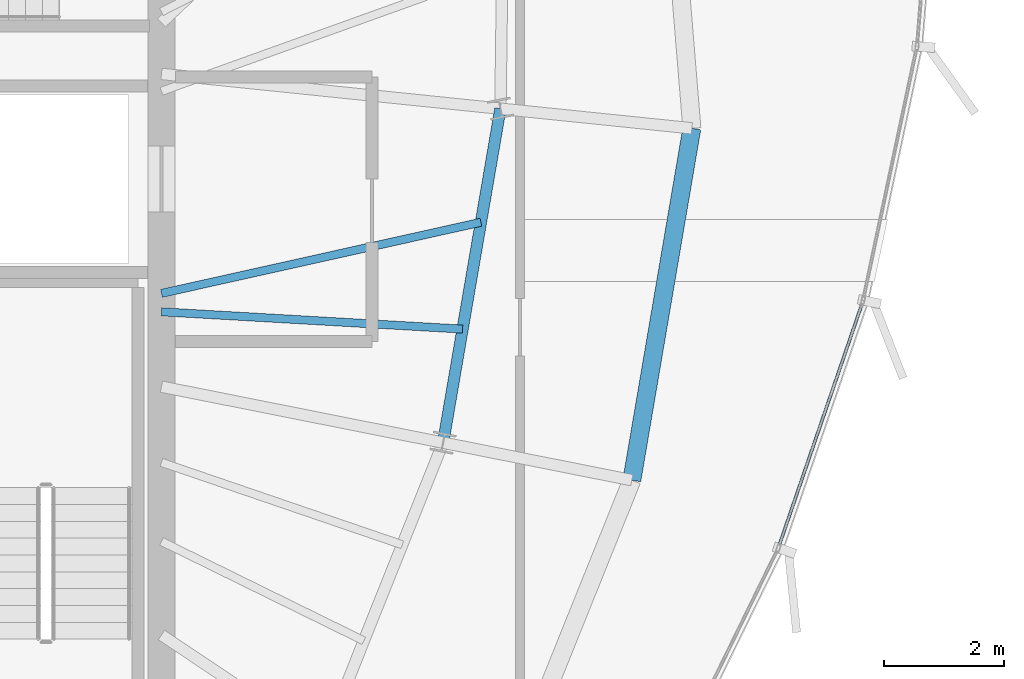
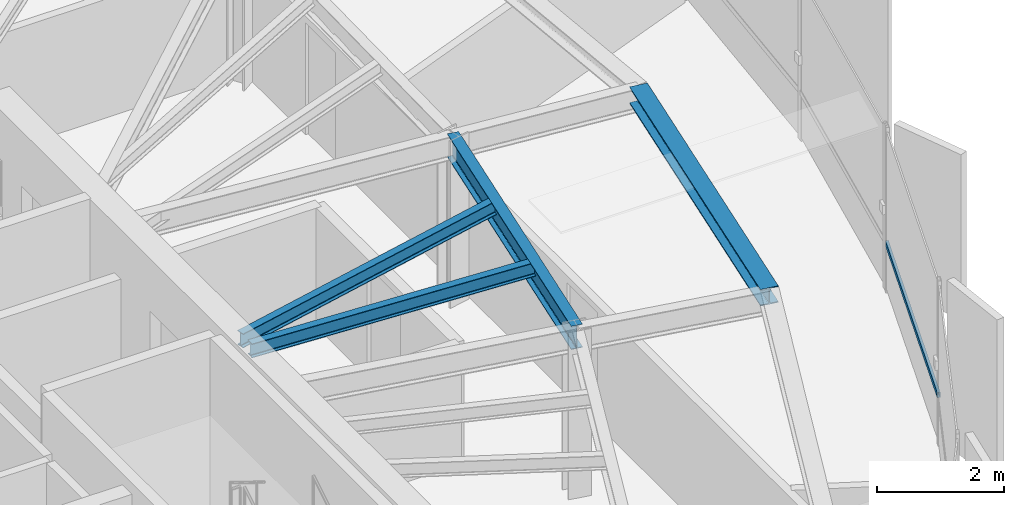
# One storey, part 15 of 35: 4 beams, 1 member, 1 element without a shape of its own.
"""IFC4 building model written with IfcOpenShell, lengths in metres."""

import ifcopenshell
import ifcopenshell.guid

model = None  # the IFC model being written
_history = None  # IfcOwnerHistory: only IFC2X3 demands one
_inside = {}  # id of a spatial element -> (the spatial element, [elements in it])
_under = {}  # id of a project, library or spatial element -> (it, [spatial elements below it])
_declared = {}  # id of a project -> (the project, [libraries it declares])
_typed = {}  # id of a type object -> (the type object, [elements of that type])
_made_of = {}  # id of a material, layer set ... -> (it, [elements and type objects made of it])


def new_model(schema):
    """Start an empty IFC model of exactly this schema.

    Asked for "IFC4X3", IfcOpenShell would pick the latest addendum, in which some entities
    have other attributes; the version numbers below select the first issue.
    IFC2X3 requires an IfcOwnerHistory on every rooted entity: one is made here for all.
    """
    global model, _history
    if schema == "IFC4X3":
        model = ifcopenshell.file(schema_version=(4, 3, 0, 0))
    else:
        model = ifcopenshell.file(schema=schema)
    _inside.clear()
    _under.clear()
    _declared.clear()
    _typed.clear()
    _made_of.clear()
    _history = None
    if model.schema == "IFC2X3":
        org = make("IfcOrganization", Name="unknown")
        user = make(
            "IfcPersonAndOrganization",
            ThePerson=make("IfcPerson", FamilyName="unknown"),
            TheOrganization=org,
        )
        app = make(
            "IfcApplication",
            ApplicationDeveloper=org,
            Version="unknown",
            ApplicationFullName="unknown",
            ApplicationIdentifier="unknown",
        )
        _history = make(
            "IfcOwnerHistory",
            OwningUser=user,
            OwningApplication=app,
            ChangeAction="ADDED",
            CreationDate=0,
        )
    return model


def make(cls, **values):
    """One entity of the class cls with the attributes given. An attribute that is None is left unset."""
    return model.create_entity(
        cls, **{name: value for name, value in values.items() if value is not None}
    )


def rooted(cls, **values):
    """An entity with a GlobalId (a new one), such as an element, a storey or a relation."""
    return make(cls, GlobalId=ifcopenshell.guid.new(), OwnerHistory=_history, **values)


def si_unit(unit_type, name, prefix=None):
    """IfcSIUnit, for example si_unit("LENGTHUNIT", "METRE", prefix="MILLI")."""
    return make("IfcSIUnit", UnitType=unit_type, Prefix=prefix, Name=name)


def assignment(units):
    """IfcUnitAssignment: the units of a project."""
    return None if units is None else make("IfcUnitAssignment", Units=units)


def point(xyz):
    """IfcCartesianPoint."""
    return None if xyz is None else make("IfcCartesianPoint", Coordinates=xyz)


def direction(xyz):
    """IfcDirection."""
    return None if xyz is None else make("IfcDirection", DirectionRatios=xyz)


def frame(location, z_axis=None, x_axis=None):
    """IfcAxis2Placement3D, a coordinate frame: its origin and axes. An axis left out is left unset."""
    return make(
        "IfcAxis2Placement3D",
        Location=point(location),
        Axis=direction(z_axis),
        RefDirection=direction(x_axis),
    )


def frame_2d(location, x_axis=None):
    """IfcAxis2Placement2D, a coordinate frame in the plane: its origin and x axis."""
    return make(
        "IfcAxis2Placement2D", Location=point(location), RefDirection=direction(x_axis)
    )


def origin():
    """The frame at (0, 0, 0) with its axes left unset."""
    return frame((0.0, 0.0, 0.0))


def origin_2d():
    """The frame at (0, 0) in the plane with its x axis left unset."""
    return frame_2d((0.0, 0.0))


def place(relative_to, where):
    """IfcLocalPlacement: puts the frame where relative to a parent placement (None: the world)."""
    return make(
        "IfcLocalPlacement", PlacementRelTo=relative_to, RelativePlacement=where
    )


def context(
    kind, dimensions, precision=None, world=None, true_north=None, identifier=None
):
    """IfcGeometricRepresentationContext, for example the 3D "Model" context."""
    return make(
        "IfcGeometricRepresentationContext",
        ContextIdentifier=identifier,
        ContextType=kind,
        CoordinateSpaceDimension=dimensions,
        Precision=precision,
        WorldCoordinateSystem=world,
        TrueNorth=true_north,
    )


def subcontext(parent, identifier, kind, view, scale=None):
    """IfcGeometricRepresentationSubContext, for example "Body" below "Model"."""
    return make(
        "IfcGeometricRepresentationSubContext",
        ContextIdentifier=identifier,
        ContextType=kind,
        ParentContext=parent,
        TargetScale=scale,
        TargetView=view,
    )


def project(units=None, contexts=None):
    """IfcProject with its units and contexts."""
    return rooted(
        "IfcProject",
        Name="project",
        RepresentationContexts=contexts,
        UnitsInContext=assignment(units),
    )


def spatial(cls, under=None, at=None, **own):
    """A site, building, storey or space (cls), placed at a placement, below another one or the project."""
    s = rooted(cls, ObjectPlacement=at, **own)
    if under is not None:
        _under.setdefault(under.id(), (under, []))[1].append(s)
    return s


def profile(cls, at=None, kind="AREA", **sizes):
    """A parametric profile (cls). Its sizes go by their IFC names, for example OverallWidth=200.0."""
    return make(cls, ProfileType=kind, Position=at, **sizes)


def hollow_rectangle(**sizes):
    """IfcRectangleHollowProfileDef."""
    return profile("IfcRectangleHollowProfileDef", **sizes)


def i_section(**sizes):
    """IfcIShapeProfileDef."""
    return profile("IfcIShapeProfileDef", **sizes)


def extrude(swept, where, along, depth):
    """IfcExtrudedAreaSolid: the profile swept, set in the frame where, extruded along a direction by depth."""
    return make(
        "IfcExtrudedAreaSolid",
        SweptArea=swept,
        Position=where,
        ExtrudedDirection=direction(along),
        Depth=depth,
    )


def shape(context_of_items, identifier, shape_type, items):
    """IfcShapeRepresentation: the items that make up one representation, for example the "Body"."""
    return make(
        "IfcShapeRepresentation",
        ContextOfItems=context_of_items,
        RepresentationIdentifier=identifier,
        RepresentationType=shape_type,
        Items=items,
    )


def source(mapping_origin, context_of_items, identifier, shape_type, items):
    """IfcRepresentationMap: a shape defined once, which mapped items show again and again."""
    return make(
        "IfcRepresentationMap",
        MappingOrigin=mapping_origin,
        MappedRepresentation=shape(context_of_items, identifier, shape_type, items),
    )


def transform(
    local_origin,
    x_axis=None,
    y_axis=None,
    z_axis=None,
    scale=None,
    scale2=None,
    scale3=None,
    uniform=True,
):
    """IfcCartesianTransformationOperator3D, or its non-uniform kind. x_axis, y_axis, z_axis: its Axis1, 2, 3."""
    if uniform:
        return make(
            "IfcCartesianTransformationOperator3D",
            Axis1=direction(x_axis),
            Axis2=direction(y_axis),
            LocalOrigin=point(local_origin),
            Scale=scale,
            Axis3=direction(z_axis),
        )
    return make(
        "IfcCartesianTransformationOperator3DnonUniform",
        Axis1=direction(x_axis),
        Axis2=direction(y_axis),
        LocalOrigin=point(local_origin),
        Scale=scale,
        Axis3=direction(z_axis),
        Scale2=scale2,
        Scale3=scale3,
    )


def mapped(mapping_source, mapping_target):
    """IfcMappedItem: shows the shape of a source again, moved by a transform."""
    return make(
        "IfcMappedItem", MappingSource=mapping_source, MappingTarget=mapping_target
    )


def material(Name=None, Category=None):
    """IfcMaterial."""
    return make("IfcMaterial", Name=Name, Category=Category)


def layer(
    of_material, thickness, ventilated=None, Name=None, Category=None, Priority=None
):
    """IfcMaterialLayer: one layer of a wall or slab, of a material (None: an air gap)."""
    return make(
        "IfcMaterialLayer",
        Material=of_material,
        LayerThickness=thickness,
        IsVentilated=ventilated,
        Name=Name,
        Category=Category,
        Priority=Priority,
    )


def layer_set(layers, Name=None):
    """IfcMaterialLayerSet."""
    return make("IfcMaterialLayerSet", MaterialLayers=layers, LayerSetName=Name)


def material_profile(
    of_material, cross_section, Name=None, Category=None, Priority=None
):
    """IfcMaterialProfile: a cross section and its material."""
    return make(
        "IfcMaterialProfile",
        Name=Name,
        Material=of_material,
        Profile=cross_section,
        Priority=Priority,
        Category=Category,
    )


def profile_set(profiles, Name=None, composite=None):
    """IfcMaterialProfileSet."""
    return make(
        "IfcMaterialProfileSet",
        Name=Name,
        MaterialProfiles=profiles,
        CompositeProfile=composite,
    )


def made_of(thing, what):
    """Note that an element or type object is made of a material, layer set ...; save() writes the relation."""
    if what is not None:
        _made_of.setdefault(what.id(), (what, []))[1].append(thing)
    return thing


def type_object(cls, material=None, **own):
    """A type object (cls), such as IfcWallType, which elements share."""
    return made_of(rooted(cls, **own), material)


def element(
    cls,
    number,
    at=None,
    inside=None,
    cuts=None,
    type_object=None,
    material=None,
    context=None,
    identifier="Body",
    shape_type=None,
    held_by="IfcProductDefinitionShape",
    body=None,
    shapes=None,
    **own,
):
    """One element of the class cls, such as IfcWall. Its Tag is "e" and its number.

    at: its placement. inside: the storey or other place that contains it. cuts: it is an
    opening in that element (IfcRelVoidsElement). A single representation is given by context,
    identifier, shape_type and body (its items); several are given by shapes. held_by: the class
    of the entity that holds the representations. save() writes the other relations.
    """
    e = rooted(cls, Tag="e%d" % number, ObjectPlacement=at, **own)
    if body is not None:
        shapes = [shape(context, identifier, shape_type, body)]
    if shapes is not None:
        e.Representation = make(held_by, Representations=shapes)
    if inside is not None:
        _inside.setdefault(inside.id(), (inside, []))[1].append(e)
    if cuts is not None:
        rooted(
            "IfcRelVoidsElement", RelatingBuildingElement=cuts, RelatedOpeningElement=e
        )
    if type_object is not None:
        _typed.setdefault(type_object.id(), (type_object, []))[1].append(e)
    return made_of(e, material)


def aggregate(whole, parts):
    """IfcRelAggregates: a whole, such as a stair, and the parts it consists of."""
    return rooted("IfcRelAggregates", RelatingObject=whole, RelatedObjects=parts)


def save(model, path):
    """Write the relations noted so far, then the file.

    IfcRelAggregates (storeys below a building ...), IfcRelContainedInSpatialStructure (elements
    in a storey), IfcRelDefinesByType, IfcRelAssociatesMaterial and IfcRelDeclares: one each for
    every whole, place, type object, material and project.
    """
    for whole, parts in _under.values():
        aggregate(whole, parts)
    for where, things in _inside.values():
        rooted(
            "IfcRelContainedInSpatialStructure",
            RelatedElements=things,
            RelatingStructure=where,
        )
    for kind, things in _typed.values():
        rooted("IfcRelDefinesByType", RelatedObjects=things, RelatingType=kind)
    for what, things in _made_of.values():
        rooted("IfcRelAssociatesMaterial", RelatedObjects=things, RelatingMaterial=what)
    for by, libraries in _declared.values():
        rooted("IfcRelDeclares", RelatingContext=by, RelatedDefinitions=libraries)
    model.write(path)


model = new_model("IFC4")

# Units and contexts
model_context = context("Model", 3, precision=1e-05, world=origin(), true_north=direction((0.0, 1.0)))
body_context = subcontext(model_context, "Body", "Model", "MODEL_VIEW")
ifc_project = project(units=[si_unit("LENGTHUNIT", "METRE"), si_unit("AREAUNIT", "SQUARE_METRE"), si_unit("VOLUMEUNIT", "CUBIC_METRE"), si_unit("PLANEANGLEUNIT", "RADIAN"), si_unit("MASSUNIT", "GRAM", prefix="KILO"), si_unit("THERMODYNAMICTEMPERATUREUNIT", "KELVIN")], contexts=[model_context])

# Site, building, storey
site_placement = place(None, origin())
site = spatial("IfcSite", under=ifc_project, at=site_placement, CompositionType="ELEMENT")
building_placement = place(site_placement, origin())
building = spatial("IfcBuilding", under=site, at=building_placement, Name="Kethvar Cultural Tower", CompositionType="ELEMENT")
storey_placement = place(building_placement, frame((0.0, 0.0, 245.64990234375)))
storey = spatial("IfcBuildingStorey", under=building, at=storey_placement, Name="L64", CompositionType="ELEMENT", Elevation=245.64990234375)

# Beams
ifc_material_1 = material(Name="Steel S355J2", Category="steel")
ifc_material_profile_1 = material_profile(ifc_material_1, i_section(OverallWidth=0.18994140625, OverallDepth=0.449951171875, WebThickness=0.009521484375, FlangeThickness=0.0146484375, FilletRadius=0.02099609375, at=origin_2d()), Name="Steel S355J2 — IPE450")
ifc_profile_set_1 = profile_set([ifc_material_profile_1], Name="Steel S355J2 — IPE450")
beam_type_1 = type_object("IfcBeamType", Name="BM-IPE450", PredefinedType="BEAM", material=ifc_profile_set_1)
shared_shape_1 = source(origin(), body_context, "Body", "SweptSolid", [
    extrude(i_section(OverallWidth=0.18994140625, OverallDepth=0.449951171875, WebThickness=0.009521484375, FlangeThickness=0.0146484375, FilletRadius=0.02099609375, at=origin_2d()), origin(), (0.0, 0.0, 1.0), 5.635009765625),
])
beam_1_placement = place(storey_placement, frame((60.28369140625, 25.117919921875, 2.983154296875), z_axis=(0.169188687614, 0.985583678834, 0.0), x_axis=(-0.985583678834, 0.169188687614, 0.0)))
element("IfcBeam", 1, at=beam_1_placement, inside=storey, type_object=beam_type_1, Name="L64 Column Ring Tie Beam CR-16", PredefinedType="BEAM", context=body_context, shape_type="MappedRepresentation", body=[
    mapped(shared_shape_1, transform((0.0, 0.0, 0.0), scale=1.0)),
])
ifc_material_profile_2 = material_profile(ifc_material_1, i_section(OverallWidth=0.300048828125, OverallDepth=0.320068359375, WebThickness=0.011474609375, FlangeThickness=0.0205078125, FilletRadius=0.027099609375, at=origin_2d()), Name="Steel S355J2 — HEB320")
ifc_profile_set_2 = profile_set([ifc_material_profile_2], Name="Steel S355J2 — HEB320")
beam_type_2 = type_object("IfcBeamType", Name="BM-SP320", PredefinedType="SPANDREL", material=ifc_profile_set_2)
shared_shape_2 = source(origin(), body_context, "Body", "SweptSolid", [
    extrude(i_section(OverallWidth=0.300048828125, OverallDepth=0.320068359375, WebThickness=0.011474609375, FlangeThickness=0.0205078125, FilletRadius=0.027099609375, at=origin_2d()), origin(), (0.0, 0.0, 1.0), 5.93603515625),
])
beam_2_placement = place(storey_placement, frame((63.422119140625, 24.49365234375, 3.048095703125), z_axis=(0.16817267321, 0.985757552335, 0.0), x_axis=(-0.985757552335, 0.16817267321, 0.0)))
element("IfcBeam", 2, at=beam_2_placement, inside=storey, type_object=beam_type_2, Name="L64 Perimeter Spandrel Beam SP-16", PredefinedType="SPANDREL", context=body_context, shape_type="MappedRepresentation", body=[
    mapped(shared_shape_2, transform((0.0, 0.0, 0.0), scale=1.0)),
])
ifc_material_profile_3 = material_profile(ifc_material_1, i_section(OverallWidth=0.135009765625, OverallDepth=0.27001953125, WebThickness=0.006591796875, FlangeThickness=0.01025390625, FilletRadius=0.014892578125, at=origin_2d()), Name="Steel S355J2 — IPE270")
ifc_profile_set_3 = profile_set([ifc_material_profile_3], Name="Steel S355J2 — IPE270")
beam_type_3 = type_object("IfcBeamType", Name="BM-J270", PredefinedType="JOIST", material=ifc_profile_set_3)
shared_shape_3 = source(origin(), body_context, "Body", "SweptSolid", [
    extrude(i_section(OverallWidth=0.135009765625, OverallDepth=0.27001953125, WebThickness=0.006591796875, FlangeThickness=0.01025390625, FilletRadius=0.014892578125, at=origin_2d()), origin(), (0.0, 0.0, 1.0), 5.01611328125),
])
beam_3_placement = place(storey_placement, frame((55.60009765625, 27.294189453125, 3.072998046875), z_axis=(0.998352190078, -0.057383835418, 0.0), x_axis=(0.057383835418, 0.998352190078, 0.0)))
element("IfcBeam", 3, at=beam_3_placement, inside=storey, type_object=beam_type_3, Name="L64 Composite Floor Joist J-16A", PredefinedType="JOIST", context=body_context, shape_type="MappedRepresentation", body=[
    mapped(shared_shape_3, transform((0.0, 0.0, 0.0), scale=1.0)),
])
shared_shape_4 = source(origin(), body_context, "Body", "SweptSolid", [
    extrude(i_section(OverallWidth=0.135009765625, OverallDepth=0.27001953125, WebThickness=0.006591796875, FlangeThickness=0.01025390625, FilletRadius=0.014892578125, at=origin_2d()), origin(), (0.0, 0.0, 1.0), 5.44287109375),
])
beam_4_placement = place(storey_placement, frame((55.60009765625, 27.60009765625, 3.072998046875), z_axis=(0.976080346759, 0.217410111702, 0.0), x_axis=(-0.217410111702, 0.976080346759, 0.0)))
element("IfcBeam", 4, at=beam_4_placement, inside=storey, type_object=beam_type_3, Name="L64 Composite Floor Joist J-16B", PredefinedType="JOIST", context=body_context, shape_type="MappedRepresentation", body=[
    mapped(shared_shape_4, transform((0.0, 0.0, 0.0), scale=1.0)),
])

# Curtain wall, member
ifc_material_2 = material(Name="Aluminium 6063-T6", Category="aluminium")
ifc_layer = layer(ifc_material_2, 0.179931640625, Name="Aluminium 6063-T6", Category="aluminium")
ifc_layer_set = layer_set([ifc_layer], Name="Aluminium 6063-T6 (180 mm)")
curtain_wall_type = type_object("IfcCurtainWallType", Name="CW-SYS-05-Z56", PredefinedType="NOTDEFINED", material=ifc_layer_set)
curtain_wall_placement = place(storey_placement, origin())
curtain_wall = element("IfcCurtainWall", 5, at=curtain_wall_placement, inside=storey, type_object=curtain_wall_type, Name="L64 Curtain Wall Run 05", PredefinedType="NOTDEFINED")
ifc_material_profile_4 = material_profile(ifc_material_2, hollow_rectangle(XDim=0.050048828125, YDim=0.10009765625, WallThickness=0.00390625, at=origin_2d()), Name="Aluminium 6063-T6 — RHS100x50x4")
ifc_profile_set_4 = profile_set([ifc_material_profile_4], Name="Aluminium 6063-T6 — RHS100x50x4")
member_type = type_object("IfcMemberType", Name="CW-SYS-05-Z56-TRN", PredefinedType="USERDEFINED", material=ifc_profile_set_4)
shared_shape_5 = source(origin(), body_context, "Body", "SweptSolid", [
    extrude(hollow_rectangle(XDim=0.050048828125, YDim=0.10009765625, WallThickness=0.00390625, at=origin_2d()), origin(), (0.0, 0.0, 1.0), 4.25244140625),
])
member_placement = place(storey_placement, frame((65.870361328125, 23.402099609375, 0.9501953125), z_axis=(0.324380100606, 0.945926820812, 0.0), x_axis=(-0.945926820812, 0.324380100606, 0.0)))
member = element("IfcMember", 6, at=member_placement, type_object=member_type, Name="CW-L64-R05 Transom 6", ObjectType="TRANSOM", PredefinedType="USERDEFINED", context=body_context, shape_type="MappedRepresentation", body=[
    mapped(shared_shape_5, transform((0.0, 0.0, 0.0), scale=1.0)),
])
aggregate(curtain_wall, [member])

save(model, "model.ifc")
